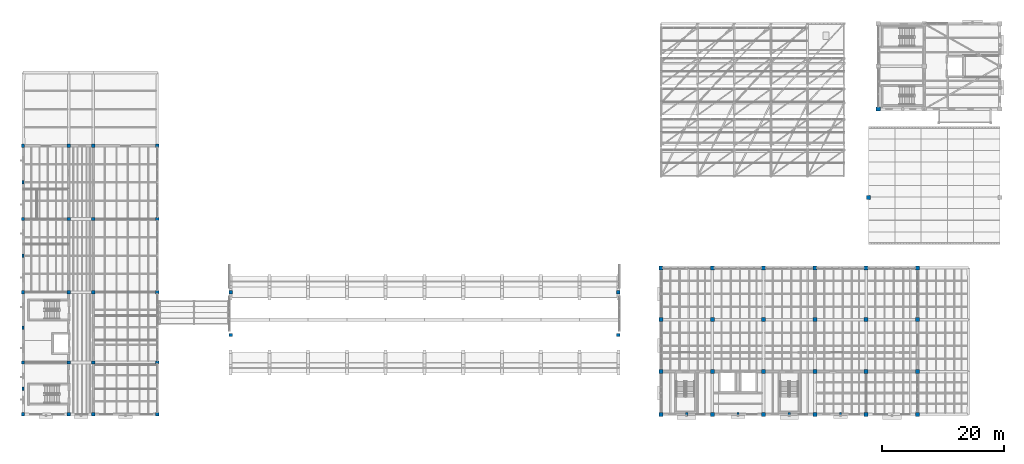
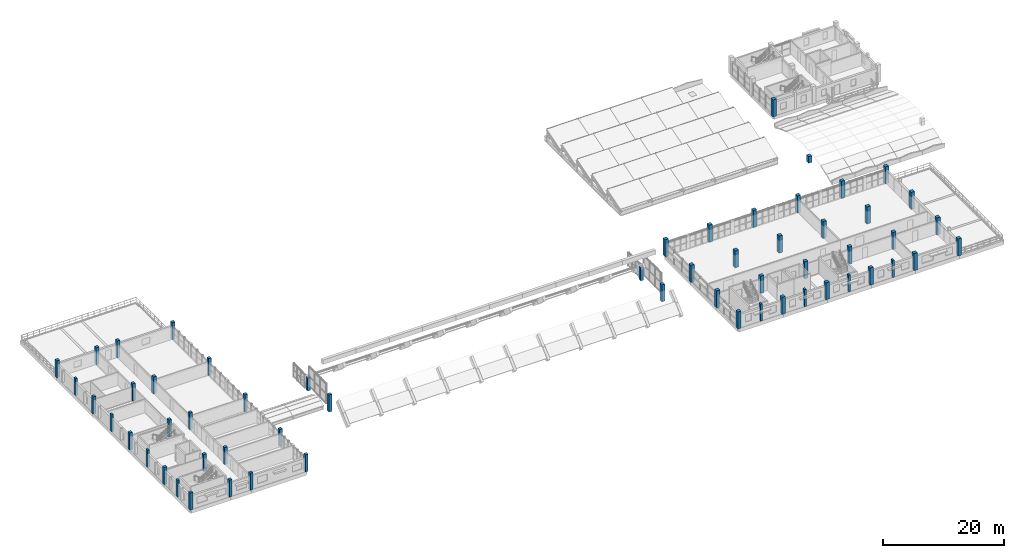
# One storey, part 1 of 48: 58 columns.
"""IFC4 building model written with IfcOpenShell, lengths in metres."""

from ifc_helpers import new_model, si_unit, direction, frame, origin, origin_2d, place, context, subcontext, project, spatial, rectangle, extrude, material, material_profile, profile_set, type_object, element, save


model = new_model("IFC4")

# Units and contexts
model_context = context("Model", 3, precision=1e-05, world=origin(), true_north=direction((0.0, 1.0)))
body_context = subcontext(model_context, "Body", "Model", "MODEL_VIEW")
ifc_project = project(units=[si_unit("LENGTHUNIT", "METRE"), si_unit("AREAUNIT", "SQUARE_METRE"), si_unit("VOLUMEUNIT", "CUBIC_METRE"), si_unit("PLANEANGLEUNIT", "RADIAN"), si_unit("MASSUNIT", "GRAM", prefix="KILO")], contexts=[model_context])

# Site, building, storey
site_placement = place(None, origin())
site = spatial("IfcSite", under=ifc_project, at=site_placement, CompositionType="ELEMENT")
building_placement = place(site_placement, origin())
building = spatial("IfcBuilding", under=site, at=building_placement, Name="Trellovar Central Fire Station", CompositionType="ELEMENT")
storey_placement = place(building_placement, frame((0.0, 0.0, 9.300048828125)))
storey = spatial("IfcBuildingStorey", under=building, at=storey_placement, Name="L03", CompositionType="ELEMENT", Elevation=9.300048828125)

# Columns
ifc_material_1 = material(Name="Concrete C40/50", Category="concrete")
ifc_material_profile_1 = material_profile(ifc_material_1, rectangle(XDim=0.699951171875, YDim=0.699951171875, at=origin_2d()), Name="RC700X700")
ifc_profile_set_1 = profile_set([ifc_material_profile_1], Name="Concrete C40/50")
column_type_1 = type_object("IfcColumnType", Name="COL-C4", PredefinedType="COLUMN", material=ifc_profile_set_1)
column_1_placement = place(storey_placement, frame((141.10009765625, 59.0, 0.0), z_axis=(0.0, 0.0, 1.0), x_axis=(1.0, 0.0, 0.0)))
element("IfcColumn", 1, at=column_1_placement, inside=storey, type_object=column_type_1, Name="L03 column C-4", PredefinedType="COLUMN", context=body_context, shape_type="SweptSolid", body=[
    extrude(rectangle(XDim=0.699951171875, YDim=0.699951171875, at=origin_2d()), origin(), (0.0, 0.0, 1.0), 3.449951171875),
])
ifc_material_2 = material(Name="Concrete C40/50", Category="concrete")
ifc_material_profile_2 = material_profile(ifc_material_2, rectangle(XDim=0.64990234375, YDim=0.64990234375, at=origin_2d()), Name="RC650X650")
ifc_profile_set_2 = profile_set([ifc_material_profile_2], Name="Concrete C40/50")
column_type_2 = type_object("IfcColumnType", Name="COL-C5", PredefinedType="COLUMN", material=ifc_profile_set_2)
for number, where, z_axis, x_axis, name in (
    (2, (105.5, 9.0, 0.0), (0.0, 0.0, 1.0), (1.0, 0.0, 0.0), "L03 column C-5"),
    (3, (105.5, 16.0, 0.0), (0.0, 0.0, 1.0), (1.0, 0.0, 0.0), "L03 column C-5"),
    (4, (105.5, 24.5, 0.0), (0.0, 0.0, 1.0), (1.0, 0.0, 0.0), "L03 column C-5"),
    (5, (105.5, 33.0, 0.0), (0.0, 0.0, 1.0), (1.0, 0.0, 0.0), "L03 column C-5"),
    (6, (113.89990234375, 9.0, 0.0), (0.0, 0.0, 1.0), (1.0, 0.0, 0.0), "L03 column C-5"),
    (7, (113.89990234375, 16.0, 0.0), (0.0, 0.0, 1.0), (1.0, 0.0, 0.0), "L03 column C-5"),
    (8, (113.89990234375, 24.5, 0.0), (0.0, 0.0, 1.0), (1.0, 0.0, 0.0), "L03 column C-5"),
    (9, (113.89990234375, 33.0, 0.0), (0.0, 0.0, 1.0), (1.0, 0.0, 0.0), "L03 column C-5"),
    (10, (122.300048828125, 9.0, 0.0), (0.0, 0.0, 1.0), (1.0, 0.0, 0.0), "L03 column C-5"),
    (11, (122.300048828125, 16.0, 0.0), (0.0, 0.0, 1.0), (1.0, 0.0, 0.0), "L03 column C-5"),
    (12, (122.300048828125, 24.5, 0.0), (0.0, 0.0, 1.0), (1.0, 0.0, 0.0), "L03 column C-5"),
    (13, (122.300048828125, 33.0, 0.0), (0.0, 0.0, 1.0), (1.0, 0.0, 0.0), "L03 column C-5"),
    (14, (130.699951171875, 9.0, 0.0), (0.0, 0.0, 1.0), (1.0, 0.0, 0.0), "L03 column C-5"),
    (15, (130.699951171875, 16.0, 0.0), (0.0, 0.0, 1.0), (1.0, 0.0, 0.0), "L03 column C-5"),
    (16, (130.699951171875, 24.5, 0.0), (0.0, 0.0, 1.0), (1.0, 0.0, 0.0), "L03 column C-5"),
    (17, (130.699951171875, 33.0, 0.0), (0.0, 0.0, 1.0), (1.0, 0.0, 0.0), "L03 column C-5"),
    (18, (139.10009765625, 9.0, 0.0), (0.0, 0.0, 1.0), (1.0, 0.0, 0.0), "L03 column C-5"),
    (19, (139.10009765625, 16.0, 0.0), (0.0, 0.0, 1.0), (1.0, 0.0, 0.0), "L03 column C-5"),
    (20, (139.10009765625, 24.5, 0.0), (0.0, 0.0, 1.0), (1.0, 0.0, 0.0), "L03 column C-5"),
    (21, (139.10009765625, 33.0, 0.0), (0.0, 0.0, 1.0), (1.0, 0.0, 0.0), "L03 column C-5"),
    (22, (147.5, 9.0, 0.0), (0.0, 0.0, 1.0), (1.0, 0.0, 0.0), "L03 column C-5"),
    (23, (147.5, 16.0, 0.0), (0.0, 0.0, 1.0), (1.0, 0.0, 0.0), "L03 column C-5"),
    (24, (147.5, 24.5, 0.0), (0.0, 0.0, 1.0), (1.0, 0.0, 0.0), "L03 column C-5"),
    (25, (147.5, 33.0, 0.0), (0.0, 0.0, 1.0), (1.0, 0.0, 0.0), "L03 column C-5"),
):
    element("IfcColumn", number, at=place(storey_placement, frame(where, z_axis=z_axis, x_axis=x_axis)), inside=storey, type_object=column_type_2, Name=name, PredefinedType="COLUMN", context=body_context, shape_type="SweptSolid", body=[
        extrude(rectangle(XDim=0.64990234375, YDim=0.64990234375, at=origin_2d()), origin(), (0.0, 0.0, 1.0), 3.449951171875),
    ])
column_2_placement = place(storey_placement, frame((139.5, 44.5, 0.0), z_axis=(0.0, 0.0, 1.0), x_axis=(1.0, 0.0, 0.0)))
element("IfcColumn", 26, at=column_2_placement, inside=storey, type_object=column_type_2, Name="L03 column C-5", PredefinedType="COLUMN", context=body_context, shape_type="SweptSolid", body=[
    extrude(rectangle(XDim=0.64990234375, YDim=0.64990234375, at=origin_2d()), origin(), (0.0, 0.0, 1.0), 1.349853515625),
])
ifc_material_3 = material(Name="Concrete C40/50", Category="concrete")
ifc_material_profile_3 = material_profile(ifc_material_3, rectangle(XDim=0.550048828125, YDim=0.550048828125, at=origin_2d()), Name="RC550X550")
ifc_profile_set_3 = profile_set([ifc_material_profile_3], Name="Concrete C40/50")
column_type_3 = type_object("IfcColumnType", Name="COL-C7", PredefinedType="COLUMN", material=ifc_profile_set_3)
for number, where, z_axis, x_axis, name in (
    (27, (1.0, 9.0, 0.0), (0.0, 0.0, 1.0), (1.0, 0.0, 0.0), "L03 column C-7"),
    (28, (1.0, 17.5, 0.0), (0.0, 0.0, 1.0), (1.0, 0.0, 0.0), "L03 column C-7"),
    (29, (1.0, 29.0, 0.0), (0.0, 0.0, 1.0), (1.0, 0.0, 0.0), "L03 column C-7"),
    (30, (1.0, 41.0, 0.0), (0.0, 0.0, 1.0), (1.0, 0.0, 0.0), "L03 column C-7"),
    (31, (1.0, 53.0, 0.0), (0.0, 0.0, 1.0), (1.0, 0.0, 0.0), "L03 column C-7"),
    (32, (8.5, 9.0, 0.0), (0.0, 0.0, 1.0), (1.0, 0.0, 0.0), "L03 column C-7"),
    (33, (8.5, 17.5, 0.0), (0.0, 0.0, 1.0), (1.0, 0.0, 0.0), "L03 column C-7"),
    (34, (8.5, 29.0, 0.0), (0.0, 0.0, 1.0), (1.0, 0.0, 0.0), "L03 column C-7"),
    (35, (8.5, 41.0, 0.0), (0.0, 0.0, 1.0), (1.0, 0.0, 0.0), "L03 column C-7"),
    (36, (8.5, 53.0, 0.0), (0.0, 0.0, 1.0), (1.0, 0.0, 0.0), "L03 column C-7"),
    (37, (12.5, 9.0, 0.0), (0.0, 0.0, 1.0), (1.0, 0.0, 0.0), "L03 column C-7"),
    (38, (12.5, 17.5, 0.0), (0.0, 0.0, 1.0), (1.0, 0.0, 0.0), "L03 column C-7"),
    (39, (12.5, 29.0, 0.0), (0.0, 0.0, 1.0), (1.0, 0.0, 0.0), "L03 column C-7"),
    (40, (12.5, 41.0, 0.0), (0.0, 0.0, 1.0), (1.0, 0.0, 0.0), "L03 column C-7"),
    (41, (12.5, 53.0, 0.0), (0.0, 0.0, 1.0), (1.0, 0.0, 0.0), "L03 column C-7"),
    (42, (23.0, 9.0, 0.0), (0.0, 0.0, 1.0), (1.0, 0.0, 0.0), "L03 column C-7"),
    (43, (23.0, 17.5, 0.0), (0.0, 0.0, 1.0), (1.0, 0.0, 0.0), "L03 column C-7"),
    (44, (23.0, 29.0, 0.0), (0.0, 0.0, 1.0), (1.0, 0.0, 0.0), "L03 column C-7"),
    (45, (23.0, 41.0, 0.0), (0.0, 0.0, 1.0), (1.0, 0.0, 0.0), "L03 column C-7"),
    (46, (23.0, 53.0, 0.0), (0.0, 0.0, 1.0), (1.0, 0.0, 0.0), "L03 column C-7"),
    (47, (35.0, 22.0, 0.0), (0.0, 0.0, 1.0), (1.0, 0.0, 0.0), "V1 gable pier L03 (35.0,22.0)"),
):
    element("IfcColumn", number, at=place(storey_placement, frame(where, z_axis=z_axis, x_axis=x_axis)), inside=storey, type_object=column_type_3, Name=name, PredefinedType="COLUMN", context=body_context, shape_type="SweptSolid", body=[
        extrude(rectangle(XDim=0.550048828125, YDim=0.550048828125, at=origin_2d()), origin(), (0.0, 0.0, 1.0), 3.449951171875),
    ])
column_3_placement = place(storey_placement, frame((35.0, 29.0, 0.0), z_axis=(0.0, 0.0, 1.0), x_axis=(1.0, 0.0, 0.0)))
element("IfcColumn", 48, at=column_3_placement, inside=storey, type_object=column_type_3, Name="V1 gable pier L03 (35.0,29.0)", PredefinedType="COLUMN", context=body_context, shape_type="SweptSolid", body=[
    extrude(rectangle(XDim=0.550048828125, YDim=0.550048828125, at=origin_2d()), origin(), (0.0, 0.0, 1.0), 2.65185546875),
])
column_4_placement = place(storey_placement, frame((98.5, 22.0, 0.0), z_axis=(0.0, 0.0, 1.0), x_axis=(1.0, 0.0, 0.0)))
element("IfcColumn", 49, at=column_4_placement, inside=storey, type_object=column_type_3, Name="V1 gable pier L03 (98.5,22.0)", PredefinedType="COLUMN", context=body_context, shape_type="SweptSolid", body=[
    extrude(rectangle(XDim=0.550048828125, YDim=0.550048828125, at=origin_2d()), origin(), (0.0, 0.0, 1.0), 3.449951171875),
])
column_5_placement = place(storey_placement, frame((98.5, 29.0, 0.0), z_axis=(0.0, 0.0, 1.0), x_axis=(1.0, 0.0, 0.0)))
element("IfcColumn", 50, at=column_5_placement, inside=storey, type_object=column_type_3, Name="V1 gable pier L03 (98.5,29.0)", PredefinedType="COLUMN", context=body_context, shape_type="SweptSolid", body=[
    extrude(rectangle(XDim=0.550048828125, YDim=0.550048828125, at=origin_2d()), origin(), (0.0, 0.0, 1.0), 2.65185546875),
])
ifc_material_4 = material(Name="Concrete C40/50", Category="concrete")
ifc_material_profile_4 = material_profile(ifc_material_4, rectangle(XDim=0.35009765625, YDim=0.550048828125, at=origin_2d()), Name="RC350X550")
ifc_profile_set_4 = profile_set([ifc_material_profile_4], Name="Concrete C40/50")
column_type_4 = type_object("IfcColumnType", Name="COL-PIL2", PredefinedType="PILASTER", material=ifc_profile_set_4)
for number, where, z_axis, x_axis, name in (
    (51, (1.0, 13.199951171875, 0.0), (0.0, 0.0, 1.0), (1.0, 0.0, 0.0), "V4 west projecting sun-pier L03-1"),
    (52, (1.0, 23.199951171875, 0.0), (0.0, 0.0, 1.0), (1.0, 0.0, 0.0), "V4 west projecting sun-pier L03-2"),
    (53, (1.0, 35.0, 0.0), (0.0, 0.0, 1.0), (1.0, 0.0, 0.0), "V4 west projecting sun-pier L03-3"),
    (54, (1.0, 47.0, 0.0), (0.0, 0.0, 1.0), (1.0, 0.0, 0.0), "V4 west projecting sun-pier L03-4"),
    (55, (109.699951171875, 9.0, 0.0), (0.0, 0.0, 1.0), (1.0, 0.0, 0.0), "V5 south boulevard sun-pier L03-1"),
    (56, (118.10009765625, 9.0, 0.0), (0.0, 0.0, 1.0), (1.0, 0.0, 0.0), "V5 south boulevard sun-pier L03-2"),
    (57, (126.5, 9.0, 0.0), (0.0, 0.0, 1.0), (1.0, 0.0, 0.0), "V5 south boulevard sun-pier L03-3"),
    (58, (134.89990234375, 9.0, 0.0), (0.0, 0.0, 1.0), (1.0, 0.0, 0.0), "V5 south boulevard sun-pier L03-4"),
):
    element("IfcColumn", number, at=place(storey_placement, frame(where, z_axis=z_axis, x_axis=x_axis)), inside=storey, type_object=column_type_4, Name=name, PredefinedType="PILASTER", context=body_context, shape_type="SweptSolid", body=[
        extrude(rectangle(XDim=0.35009765625, YDim=0.550048828125, at=origin_2d()), origin(), (0.0, 0.0, 1.0), 3.449951171875),
    ])

save(model, "model.ifc")
